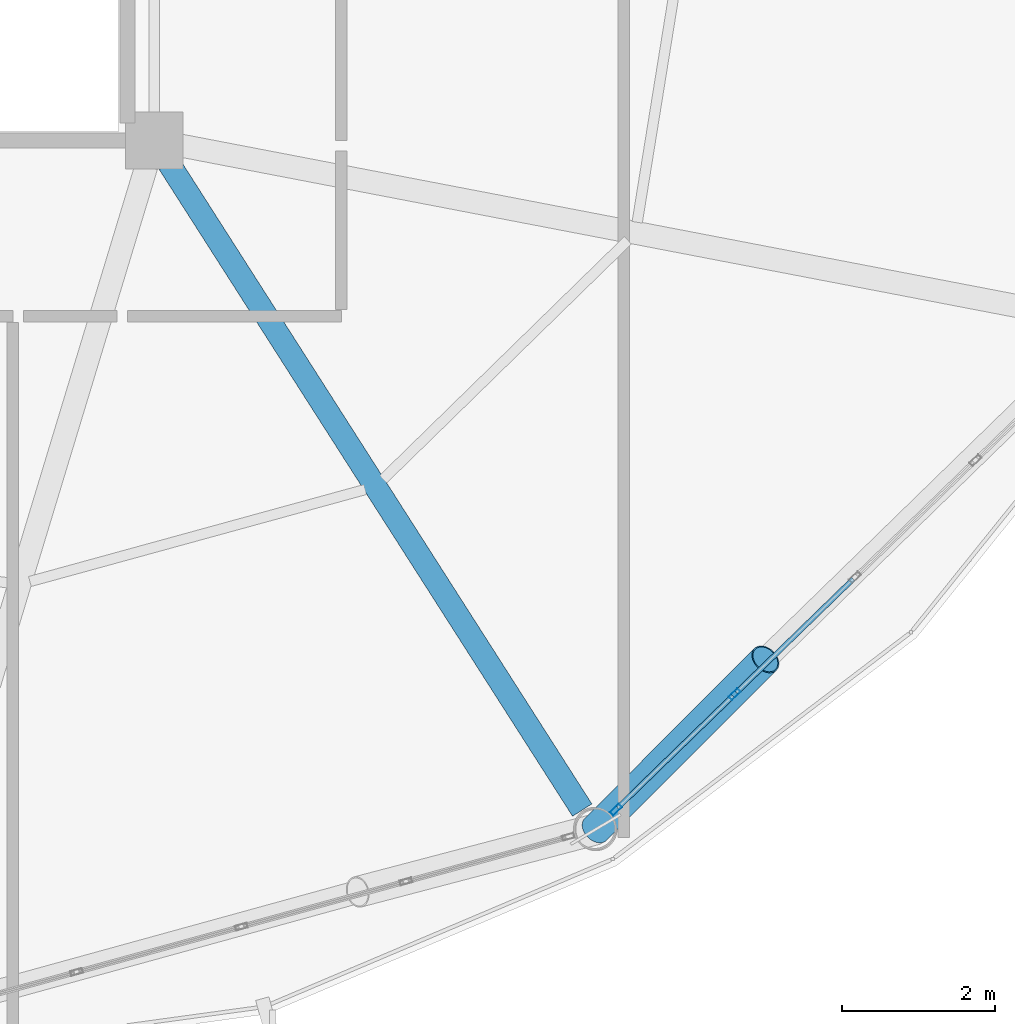
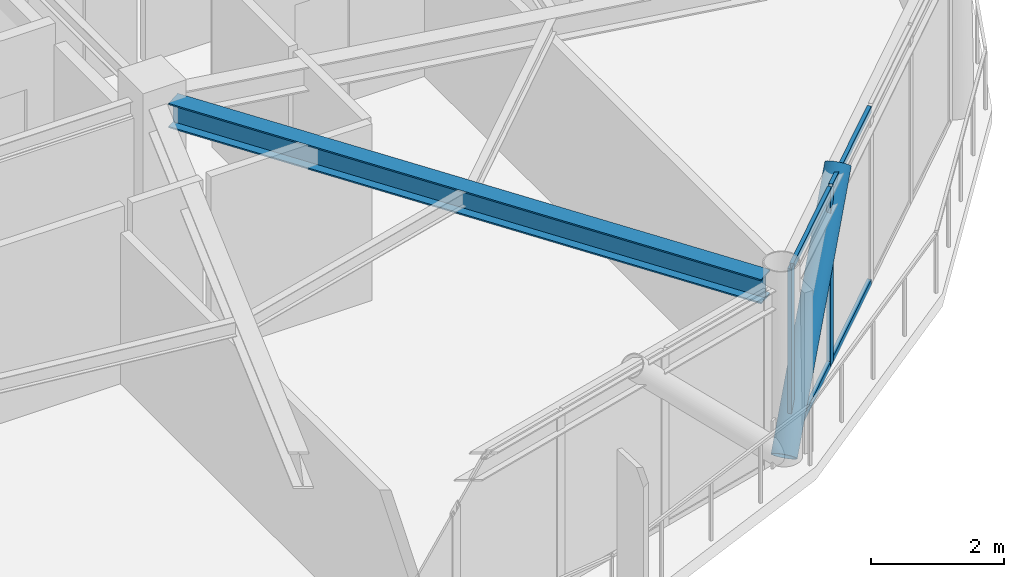
# One storey, part 8 of 28: 7 members, 1 beam, 1 element without a shape of its own.
"""IFC4 building model written with IfcOpenShell, lengths in metres."""

from ifc_helpers import new_model, si_unit, direction, frame, origin, origin_2d, place, context, subcontext, project, spatial, hollow_rectangle, hollow_circle, i_section, extrude, material, layer, layer_set, material_profile, profile_set, type_object, element, aggregate, save


model = new_model("IFC4")

# Units and contexts
model_context = context("Model", 3, precision=1e-05, world=origin(), true_north=direction((0.0, 1.0)))
body_context = subcontext(model_context, "Body", "Model", "MODEL_VIEW")
ifc_project = project(units=[si_unit("LENGTHUNIT", "METRE"), si_unit("AREAUNIT", "SQUARE_METRE"), si_unit("VOLUMEUNIT", "CUBIC_METRE"), si_unit("PLANEANGLEUNIT", "RADIAN"), si_unit("MASSUNIT", "GRAM", prefix="KILO")], contexts=[model_context])

# Site, building, storey
site_placement = place(None, origin())
site = spatial("IfcSite", under=ifc_project, at=site_placement, CompositionType="ELEMENT")
building_placement = place(site_placement, origin())
building = spatial("IfcBuilding", under=site, at=building_placement, Name="Varnakorn Sky Granary", CompositionType="ELEMENT")
storey_placement = place(building_placement, frame((0.0, 0.0, 236.39990234375)))
storey = spatial("IfcBuildingStorey", under=building, at=storey_placement, Name="L60", CompositionType="ELEMENT", Elevation=236.39990234375)

# Beam
ifc_material_1 = material(Name="Steel S355JR", Category="steel")
ifc_material_profile_1 = material_profile(ifc_material_1, i_section(OverallWidth=0.300048828125, OverallDepth=0.449951171875, WebThickness=0.013916015625, FlangeThickness=0.02587890625, at=origin_2d()), Name="HE 450 B")
ifc_profile_set_1 = profile_set([ifc_material_profile_1], Name="Steel S355JR")
beam_type = type_object("IfcBeamType", Name="BM-RAD-Z5", PredefinedType="BEAM", material=ifc_profile_set_1)
beam_placement = place(storey_placement, frame((8.541259765625, -6.899169921875, 3.025146484375), z_axis=(0.538563636973, -0.842584837824, 0.0), x_axis=(0.842584837824, 0.538563636973, 0.0)))
element("IfcBeam", 1, at=beam_placement, inside=storey, type_object=beam_type, Name="Radial Floor Girder RG11 L60", PredefinedType="BEAM", context=body_context, shape_type="SweptSolid", body=[
    extrude(i_section(OverallWidth=0.300048828125, OverallDepth=0.449951171875, WebThickness=0.013916015625, FlangeThickness=0.02587890625, at=origin_2d()), origin(), (0.0, 0.0, 1.0), 10.05322265625),
])

# Curtain wall, members
ifc_material_2 = material(Name="Anodised Bronze Aluminium Alloy 6063-T6", Category="aluminium")
ifc_layer = layer(ifc_material_2, 0.159912109375, Name="Anodised Bronze Aluminium Alloy 6063-T6")
ifc_layer_set = layer_set([ifc_layer], Name="Anodised Bronze Aluminium Alloy 6063-T6")
curtain_wall_type = type_object("IfcCurtainWallType", Name="CW-OFF-1", PredefinedType="USERDEFINED", material=ifc_layer_set)
curtain_wall_placement = place(storey_placement, origin())
curtain_wall = element("IfcCurtainWall", 2, at=curtain_wall_placement, inside=storey, type_object=curtain_wall_type, Name="Unitised Curtain Wall CW6 CW-L60-B11", ObjectType="CURTAIN WALL", PredefinedType="USERDEFINED")
ifc_material_profile_2 = material_profile(ifc_material_2, hollow_rectangle(XDim=0.06494140625, YDim=0.159912109375, WallThickness=0.00341796875, at=origin_2d()), Name="ALU MULL 65x160")
ifc_profile_set_2 = profile_set([ifc_material_profile_2], Name="Anodised Bronze Aluminium Alloy 6063-T6")
member_type_1 = type_object("IfcMemberType", Name="CW-OFF-1-MULL", PredefinedType="MULLION", material=ifc_profile_set_2)
member_1_placement = place(storey_placement, frame((15.951904296875, -13.853271484375, 0.0), z_axis=(0.0, 0.0, 1.0), x_axis=(0.69691520137, -0.717153541509, 0.0)))
member_1 = element("IfcMember", 3, at=member_1_placement, type_object=member_type_1, Name="CW6 mullion 4", PredefinedType="MULLION", context=body_context, shape_type="SweptSolid", body=[
    extrude(hollow_rectangle(XDim=0.06494140625, YDim=0.159912109375, WallThickness=0.00341796875, at=origin_2d()), origin(), (0.0, 0.0, 1.0), 3.25),
])
member_2_placement = place(storey_placement, frame((14.398193359375, -15.363037109375, 0.0), z_axis=(0.0, 0.0, 1.0), x_axis=(0.69691520137, -0.717153541509, 0.0)))
member_2 = element("IfcMember", 4, at=member_2_placement, type_object=member_type_1, Name="CW6 mullion 5", PredefinedType="MULLION", context=body_context, shape_type="SweptSolid", body=[
    extrude(hollow_rectangle(XDim=0.06494140625, YDim=0.159912109375, WallThickness=0.00341796875, at=origin_2d()), origin(), (0.0, 0.0, 1.0), 3.25),
])
ifc_material_profile_3 = material_profile(ifc_material_2, hollow_rectangle(XDim=0.06494140625, YDim=0.1201171875, WallThickness=0.00341796875, at=origin_2d()), Name="ALU TRAN 65x120")
ifc_profile_set_3 = profile_set([ifc_material_profile_3], Name="Anodised Bronze Aluminium Alloy 6063-T6")
member_type_2 = type_object("IfcMemberType", Name="CW-OFF-1-TRAN", PredefinedType="USERDEFINED", material=ifc_profile_set_3)
member_3_placement = place(storey_placement, frame((17.50537109375, -12.343505859375, 0.03271484375), z_axis=(-0.71716010082, -0.696908451514, 0.0), x_axis=(0.696908451514, -0.71716010082, 0.0)))
member_3 = element("IfcMember", 5, at=member_3_placement, type_object=member_type_2, Name="CW6 transom 3.1", ObjectType="TRANSOM", PredefinedType="USERDEFINED", context=body_context, shape_type="SweptSolid", body=[
    extrude(hollow_rectangle(XDim=0.06494140625, YDim=0.1201171875, WallThickness=0.00341796875, at=origin_2d()), origin(), (0.0, 0.0, 1.0), 2.1337890625),
])
member_4_placement = place(storey_placement, frame((17.50537109375, -12.343505859375, 3.217529296875), z_axis=(-0.71716010082, -0.696908451514, 0.0), x_axis=(0.696908451514, -0.71716010082, 0.0)))
member_4 = element("IfcMember", 6, at=member_4_placement, type_object=member_type_2, Name="CW6 transom 3.2", ObjectType="TRANSOM", PredefinedType="USERDEFINED", context=body_context, shape_type="SweptSolid", body=[
    extrude(hollow_rectangle(XDim=0.06494140625, YDim=0.1201171875, WallThickness=0.00341796875, at=origin_2d()), origin(), (0.0, 0.0, 1.0), 2.1337890625),
])
member_5_placement = place(storey_placement, frame((15.928466796875, -13.8759765625, 0.03271484375), z_axis=(-0.717143312529, -0.696925727244, 0.0), x_axis=(0.696925727244, -0.717143312529, 0.0)))
member_5 = element("IfcMember", 7, at=member_5_placement, type_object=member_type_2, Name="CW6 transom 4.1", ObjectType="TRANSOM", PredefinedType="USERDEFINED", context=body_context, shape_type="SweptSolid", body=[
    extrude(hollow_rectangle(XDim=0.06494140625, YDim=0.1201171875, WallThickness=0.00341796875, at=origin_2d()), origin(), (0.0, 0.0, 1.0), 2.10107421875),
])
member_6_placement = place(storey_placement, frame((15.928466796875, -13.8759765625, 3.217529296875), z_axis=(-0.717143312529, -0.696925727244, 0.0), x_axis=(0.696925727244, -0.717143312529, 0.0)))
member_6 = element("IfcMember", 8, at=member_6_placement, type_object=member_type_2, Name="CW6 transom 4.2", ObjectType="TRANSOM", PredefinedType="USERDEFINED", context=body_context, shape_type="SweptSolid", body=[
    extrude(hollow_rectangle(XDim=0.06494140625, YDim=0.1201171875, WallThickness=0.00341796875, at=origin_2d()), origin(), (0.0, 0.0, 1.0), 2.10107421875),
])
aggregate(curtain_wall, [member_1, member_2, member_3, member_4, member_5, member_6])

# Member
ifc_material_3 = material(Name="Steel S460M", Category="steel")
ifc_material_profile_4 = material_profile(ifc_material_3, hollow_circle(Radius=0.203125, WallThickness=0.01611328125, at=origin_2d()), Name="CHS 406.4x16")
ifc_profile_set_4 = profile_set([ifc_material_profile_4], Name="Steel S460M")
member_type_3 = type_object("IfcMemberType", Name="MB-DIAG-T4", PredefinedType="BRACE", material=ifc_profile_set_4)
member_7_placement = place(storey_placement, frame((14.131591796875, -15.622314453125, 0.0), z_axis=(0.491473828603, 0.492175471451, 0.718482276121), x_axis=(-0.707610984606, 0.706602217987, 0.0)))
element("IfcMember", 9, at=member_7_placement, inside=storey, type_object=member_type_3, Name="Perimeter CHS Diagrid Brace DG11 L60", PredefinedType="BRACE", context=body_context, shape_type="SweptSolid", body=[
    extrude(hollow_circle(Radius=0.203125, WallThickness=0.01611328125, at=origin_2d()), origin(), (0.0, 0.0, 1.0), 4.5234375),
])

save(model, "model.ifc")
